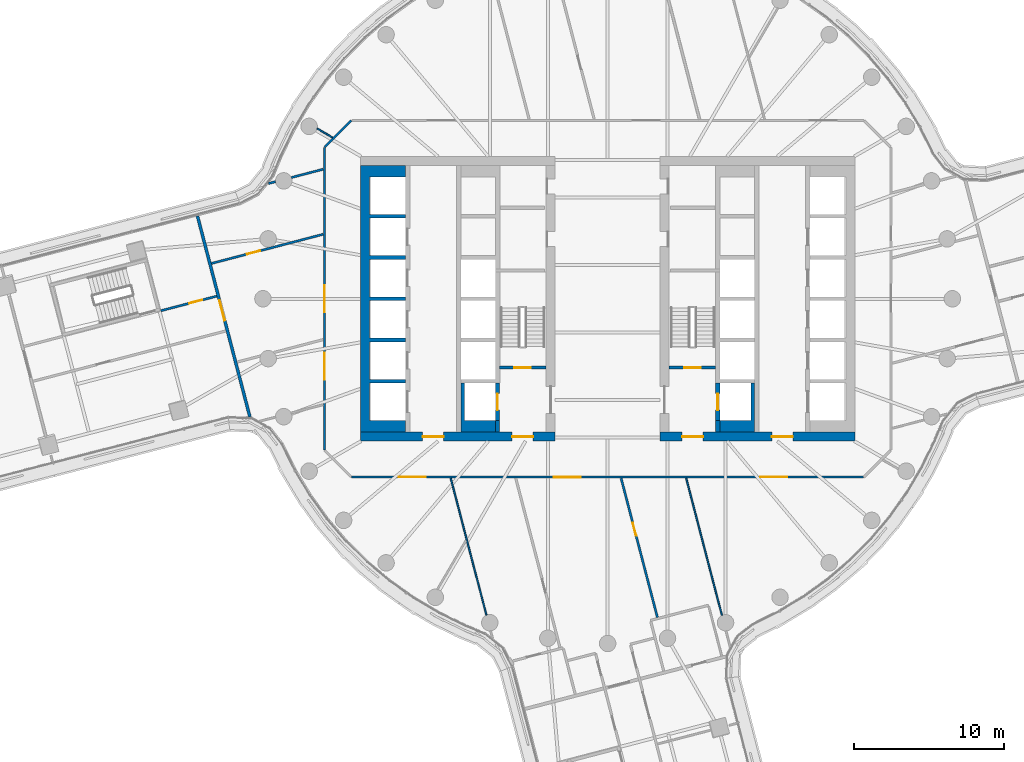
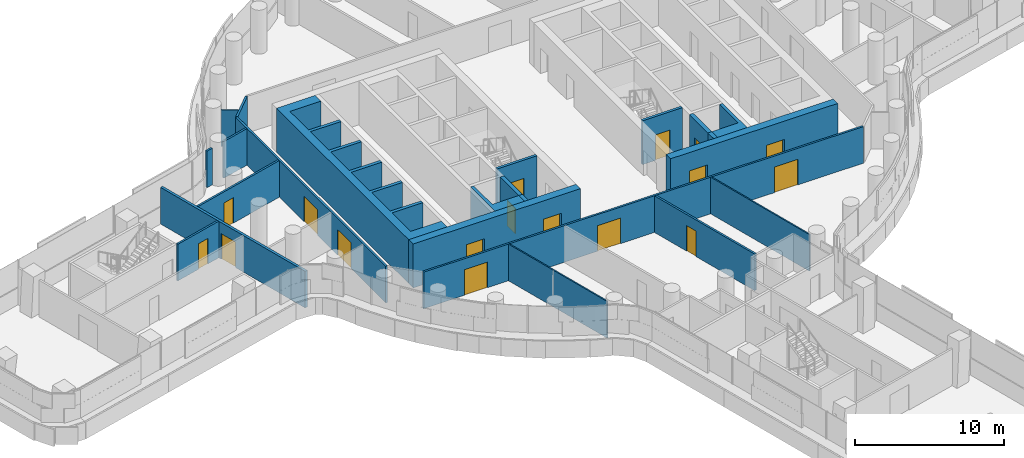
# One storey, part 19 of 30: 23 walls, 17 doors, 17 openings.
"""IFC4 building model written with IfcOpenShell, lengths in metres."""

from ifc_helpers import new_model, si_unit, direction, frame, frame_2d, origin, place, context, subcontext, project, spatial, polyline, rectangle, outline, extrude, material, layer, layer_set, type_object, element, fill, save


model = new_model("IFC4")

# Units and contexts
model_context = context("Model", 3, precision=1e-05, world=origin(), true_north=direction((0.0, 1.0)))
body_context = subcontext(model_context, "Body", "Model", "MODEL_VIEW")
ifc_project = project(units=[si_unit("LENGTHUNIT", "METRE"), si_unit("AREAUNIT", "SQUARE_METRE"), si_unit("VOLUMEUNIT", "CUBIC_METRE"), si_unit("PLANEANGLEUNIT", "RADIAN"), si_unit("MASSUNIT", "GRAM", prefix="KILO")], contexts=[model_context])

# Site, building, storey
site_placement = place(None, origin())
site = spatial("IfcSite", under=ifc_project, at=site_placement, CompositionType="ELEMENT")
building_placement = place(site_placement, origin())
building = spatial("IfcBuilding", under=site, at=building_placement, Name="Tamarind Cross Interchange Tower", CompositionType="ELEMENT")
storey_placement = place(building_placement, frame((0.0, 0.0, 87.25)))
storey = spatial("IfcBuildingStorey", under=building, at=storey_placement, Name="L20", CompositionType="ELEMENT", Elevation=87.25)

# Wall, openings, doors
ifc_material_1 = material(Name="Concrete C70", Category="concrete")
ifc_layer_1 = layer(ifc_material_1, 0.60009765625)
ifc_layer_set_1 = layer_set([ifc_layer_1], Name="Concrete C70")
wall_type_1 = type_object("IfcWallType", Name="Core wall 600 mm Concrete C70", PredefinedType="SHEAR", material=ifc_layer_set_1)
wall_1_placement = place(storey_placement, frame((-16.5, -9.199951171875, 0.0), z_axis=(0.0, 0.0, 1.0), x_axis=(1.0, 0.0, 0.0)))
wall_1 = element("IfcWall", 1, at=wall_1_placement, inside=storey, type_object=wall_type_1, Name="Core wall CWL-L20-W-S", PredefinedType="SHEAR", context=body_context, shape_type="SweptSolid", body=[
    extrude(rectangle(XDim=13.0, YDim=0.60009765625, at=frame_2d((6.5, 0.0))), origin(), (0.0, 0.0, 1.0), 3.610107421875),
])
opening_1_placement = place(wall_1_placement, frame((4.14990234375, 0.0, 0.0)))
opening_1 = element("IfcOpeningElement", 2, at=opening_1_placement, cuts=wall_1, Name="Opening DCW1", PredefinedType="OPENING", context=body_context, shape_type="SweptSolid", body=[
    extrude(rectangle(XDim=1.39990234375, YDim=2.10009765625, at=frame_2d((0.699951171875, 1.050048828125))), frame((0.0, 0.31005859375, 0.0), z_axis=(0.0, -1.0, 0.0), x_axis=(1.0, 0.0, 0.0)), (0.0, 0.0, 1.0), 0.6201171875),
])
opening_2_placement = place(wall_1_placement, frame((10.125, 0.0, 0.0)))
opening_2 = element("IfcOpeningElement", 3, at=opening_2_placement, cuts=wall_1, Name="Opening DCWF", PredefinedType="OPENING", context=body_context, shape_type="SweptSolid", body=[
    extrude(rectangle(XDim=1.39990234375, YDim=2.10009765625, at=frame_2d((0.699951171875, 1.050048828125))), frame((0.0, 0.31005859375, 0.0), z_axis=(0.0, -1.0, 0.0), x_axis=(1.0, 0.0, 0.0)), (0.0, 0.0, 1.0), 0.6201171875),
])
ifc_material_2 = material(Name="Steel, fire-resisting", Category="steel")
door_type_1 = type_object("IfcDoorType", Name="Core fire door 1400 x 2100 FD90", OperationType="SINGLE_SWING_LEFT", PredefinedType="DOOR", material=ifc_material_2)
door_1_placement = place(opening_1_placement, origin())
door_1 = element("IfcDoor", 4, at=door_1_placement, inside=storey, type_object=door_type_1, Name="L20 lift lobby door", OperationType="SINGLE_SWING_LEFT", OverallHeight=2.10009765625, OverallWidth=1.39990234375, PredefinedType="DOOR", context=body_context, shape_type="SweptSolid", body=[
    extrude(rectangle(XDim=1.39990234375, YDim=2.10009765625, at=frame_2d((0.699951171875, 1.050048828125))), frame((0.0, 0.02490234375, 0.0), z_axis=(0.0, -1.0, 0.0), x_axis=(1.0, 0.0, 0.0)), (0.0, 0.0, 1.0), 0.050048828125),
])
fill(opening_1, door_1)
door_2_placement = place(opening_2_placement, origin())
door_2 = element("IfcDoor", 5, at=door_2_placement, inside=storey, type_object=door_type_1, Name="L20 firefighting lobby end door", OperationType="SINGLE_SWING_LEFT", OverallHeight=2.10009765625, OverallWidth=1.39990234375, PredefinedType="DOOR", context=body_context, shape_type="SweptSolid", body=[
    extrude(rectangle(XDim=1.39990234375, YDim=2.10009765625, at=frame_2d((0.699951171875, 1.050048828125))), frame((0.0, 0.02490234375, 0.0), z_axis=(0.0, -1.0, 0.0), x_axis=(1.0, 0.0, 0.0)), (0.0, 0.0, 1.0), 0.050048828125),
])
fill(opening_2, door_2)

# Wall
wall_2_placement = place(storey_placement, origin())
element("IfcWall", 6, at=wall_2_placement, inside=storey, type_object=wall_type_1, Name="Core wall CWL-L20-W-A", PredefinedType="SHEAR", context=body_context, shape_type="SweptSolid", body=[
    extrude(outline(polyline([(-13.5, -8.89990234375), (-13.5, -8.125), (-15.89990234375, -8.125), (-15.89990234375, -5.625), (-13.5, -5.625), (-13.5, -5.375), (-15.89990234375, -5.375), (-15.89990234375, -2.875), (-13.5, -2.875), (-13.5, -2.625), (-15.89990234375, -2.625), (-15.89990234375, -0.125), (-13.5, -0.125), (-13.5, 0.125), (-15.89990234375, 0.125), (-15.89990234375, 2.625), (-13.5, 2.625), (-13.5, 2.875), (-15.89990234375, 2.875), (-15.89990234375, 5.375), (-13.5, 5.375), (-13.5, 5.625), (-15.89990234375, 5.625), (-15.89990234375, 8.125), (-13.5, 8.125), (-13.5, 8.89990234375), (-15.89990234375, 8.89990234375), (-16.5, 8.89990234375), (-16.5, -8.89990234375), (-15.89990234375, -8.89990234375), (-13.5, -8.89990234375)])), origin(), (0.0, 0.0, 1.0), 3.610107421875),
])

# Wall, openings, doors
wall_3_placement = place(storey_placement, frame((16.5, -9.199951171875, 0.0), z_axis=(0.0, 0.0, 1.0), x_axis=(-1.0, 0.0, 0.0)))
wall_3 = element("IfcWall", 7, at=wall_3_placement, inside=storey, type_object=wall_type_1, Name="Core wall CWL-L20-E-S", PredefinedType="SHEAR", context=body_context, shape_type="SweptSolid", body=[
    extrude(rectangle(XDim=13.0, YDim=0.60009765625, at=frame_2d((6.5, 0.0))), origin(), (0.0, 0.0, 1.0), 3.610107421875),
])
opening_3_placement = place(wall_3_placement, frame((4.14990234375, 0.0, 0.0)))
opening_3 = element("IfcOpeningElement", 8, at=opening_3_placement, cuts=wall_3, Name="Opening DCE1", PredefinedType="OPENING", context=body_context, shape_type="SweptSolid", body=[
    extrude(rectangle(XDim=1.39990234375, YDim=2.10009765625, at=frame_2d((0.699951171875, 1.050048828125))), frame((0.0, 0.31005859375, 0.0), z_axis=(0.0, -1.0, 0.0), x_axis=(1.0, 0.0, 0.0)), (0.0, 0.0, 1.0), 0.6201171875),
])
opening_4_placement = place(wall_3_placement, frame((10.125, 0.0, 0.0)))
opening_4 = element("IfcOpeningElement", 9, at=opening_4_placement, cuts=wall_3, Name="Opening DCEF", PredefinedType="OPENING", context=body_context, shape_type="SweptSolid", body=[
    extrude(rectangle(XDim=1.39990234375, YDim=2.10009765625, at=frame_2d((0.699951171875, 1.050048828125))), frame((0.0, 0.31005859375, 0.0), z_axis=(0.0, -1.0, 0.0), x_axis=(1.0, 0.0, 0.0)), (0.0, 0.0, 1.0), 0.6201171875),
])
door_3_placement = place(opening_3_placement, origin())
door_3 = element("IfcDoor", 10, at=door_3_placement, inside=storey, type_object=door_type_1, Name="L20 lift lobby door", OperationType="SINGLE_SWING_LEFT", OverallHeight=2.10009765625, OverallWidth=1.39990234375, PredefinedType="DOOR", context=body_context, shape_type="SweptSolid", body=[
    extrude(rectangle(XDim=1.39990234375, YDim=2.10009765625, at=frame_2d((0.699951171875, 1.050048828125))), frame((0.0, 0.02490234375, 0.0), z_axis=(0.0, -1.0, 0.0), x_axis=(1.0, 0.0, 0.0)), (0.0, 0.0, 1.0), 0.050048828125),
])
fill(opening_3, door_3)
door_4_placement = place(opening_4_placement, origin())
door_4 = element("IfcDoor", 11, at=door_4_placement, inside=storey, type_object=door_type_1, Name="L20 firefighting lobby end door", OperationType="SINGLE_SWING_LEFT", OverallHeight=2.10009765625, OverallWidth=1.39990234375, PredefinedType="DOOR", context=body_context, shape_type="SweptSolid", body=[
    extrude(rectangle(XDim=1.39990234375, YDim=2.10009765625, at=frame_2d((0.699951171875, 1.050048828125))), frame((0.0, 0.02490234375, 0.0), z_axis=(0.0, -1.0, 0.0), x_axis=(1.0, 0.0, 0.0)), (0.0, 0.0, 1.0), 0.050048828125),
])
fill(opening_4, door_4)

# Walls
ifc_layer_2 = layer(ifc_material_1, 0.300048828125)
ifc_layer_set_2 = layer_set([ifc_layer_2], Name="Concrete C70")
wall_type_2 = type_object("IfcWallType", Name="Core web wall 300 mm Concrete C70", PredefinedType="SHEAR", material=ifc_layer_set_2)
wall_4_placement = place(storey_placement, origin())
element("IfcWall", 12, at=wall_4_placement, inside=storey, type_object=wall_type_2, Name="Core wall CWL-L20-W-BS", PredefinedType="SHEAR", context=body_context, shape_type="SweptSolid", body=[
    extrude(outline(polyline([(-7.5, -8.125), (-9.550048828125, -8.125), (-9.550048828125, -5.625), (-9.800048828125, -5.625), (-9.800048828125, -8.125), (-9.800048828125, -8.89990234375), (-7.5, -8.89990234375), (-7.5, -8.125)])), origin(), (0.0, 0.0, 1.0), 3.610107421875),
])
wall_5_placement = place(storey_placement, frame((-7.35009765625, -8.89990234375, 0.0), z_axis=(0.0, 0.0, 1.0), x_axis=(0.0, 1.0, 0.0)))
element("IfcWall", 13, at=wall_5_placement, inside=storey, type_object=wall_type_2, Name="Core wall CWL-L20-W-BW", PredefinedType="SHEAR", context=body_context, shape_type="SweptSolid", body=[
    extrude(rectangle(XDim=0.77490234375, YDim=0.300048828125, at=frame_2d((0.387451171875, 0.0))), origin(), (0.0, 0.0, 1.0), 3.610107421875),
])

# Wall, opening, door
wall_6_placement = place(storey_placement, frame((-7.35009765625, -8.125, 0.0), z_axis=(0.0, 0.0, 1.0), x_axis=(0.0, 1.0, 0.0)))
wall_6 = element("IfcWall", 14, at=wall_6_placement, inside=storey, type_object=wall_type_2, Name="Core wall CWL-L20-W-FF", PredefinedType="SHEAR", context=body_context, shape_type="SweptSolid", body=[
    extrude(rectangle(XDim=2.5, YDim=0.300048828125, at=frame_2d((1.25, 0.0))), origin(), (0.0, 0.0, 1.0), 3.610107421875),
])
opening_5_placement = place(wall_6_placement, frame((0.699951171875, 0.0, 0.0)))
opening_5 = element("IfcOpeningElement", 15, at=opening_5_placement, cuts=wall_6, Name="Opening LD7L20", PredefinedType="OPENING", context=body_context, shape_type="SweptSolid", body=[
    extrude(rectangle(XDim=1.10009765625, YDim=2.10009765625, at=frame_2d((0.550048828125, 1.050048828125))), frame((0.0, 0.159912109375, 0.0), z_axis=(0.0, -1.0, 0.0), x_axis=(1.0, 0.0, 0.0)), (0.0, 0.0, 1.0), 0.320068359375),
])
ifc_material_3 = material(Name="Stainless steel panel", Category="steel")
door_type_2 = type_object("IfcDoorType", Name="Lift landing door 1100 x 2100 E 120", OperationType="SLIDING_TO_LEFT", PredefinedType="DOOR", material=ifc_material_3)
door_5_placement = place(opening_5_placement, origin())
door_5 = element("IfcDoor", 16, at=door_5_placement, inside=storey, type_object=door_type_2, Name="L20 landing door LF7", OperationType="SLIDING_TO_LEFT", OverallHeight=2.10009765625, OverallWidth=1.10009765625, PredefinedType="DOOR", context=body_context, shape_type="SweptSolid", body=[
    extrude(rectangle(XDim=1.10009765625, YDim=2.10009765625, at=frame_2d((0.550048828125, 1.050048828125))), frame((0.0, 0.02490234375, 0.0), z_axis=(0.0, -1.0, 0.0), x_axis=(1.0, 0.0, 0.0)), (0.0, 0.0, 1.0), 0.050048828125),
])
fill(opening_5, door_5)

# Walls
wall_7_placement = place(storey_placement, origin())
element("IfcWall", 17, at=wall_7_placement, inside=storey, type_object=wall_type_2, Name="Core wall CWL-L20-E-BS", PredefinedType="SHEAR", context=body_context, shape_type="SweptSolid", body=[
    extrude(outline(polyline([(7.5, -8.125), (7.5, -8.89990234375), (9.800048828125, -8.89990234375), (9.800048828125, -8.125), (9.800048828125, -5.625), (9.550048828125, -5.625), (9.550048828125, -8.125), (7.5, -8.125)])), origin(), (0.0, 0.0, 1.0), 3.610107421875),
])
wall_8_placement = place(storey_placement, frame((7.35009765625, -8.89990234375, 0.0), z_axis=(0.0, 0.0, 1.0), x_axis=(0.0, 1.0, 0.0)))
element("IfcWall", 18, at=wall_8_placement, inside=storey, type_object=wall_type_2, Name="Core wall CWL-L20-E-BW", PredefinedType="SHEAR", context=body_context, shape_type="SweptSolid", body=[
    extrude(rectangle(XDim=0.77490234375, YDim=0.300048828125, at=frame_2d((0.387451171875, 0.0))), origin(), (0.0, 0.0, 1.0), 3.610107421875),
])

# Wall, opening, door
wall_9_placement = place(storey_placement, frame((7.35009765625, -8.125, 0.0), z_axis=(0.0, 0.0, 1.0), x_axis=(0.0, 1.0, 0.0)))
wall_9 = element("IfcWall", 19, at=wall_9_placement, inside=storey, type_object=wall_type_2, Name="Core wall CWL-L20-E-FF", PredefinedType="SHEAR", context=body_context, shape_type="SweptSolid", body=[
    extrude(rectangle(XDim=2.5, YDim=0.300048828125, at=frame_2d((1.25, 0.0))), origin(), (0.0, 0.0, 1.0), 3.610107421875),
])
opening_6_placement = place(wall_9_placement, frame((0.699951171875, 0.0, 0.0)))
opening_6 = element("IfcOpeningElement", 20, at=opening_6_placement, cuts=wall_9, Name="Opening LD19L20", PredefinedType="OPENING", context=body_context, shape_type="SweptSolid", body=[
    extrude(rectangle(XDim=1.10009765625, YDim=2.10009765625, at=frame_2d((0.550048828125, 1.050048828125))), frame((0.0, 0.159912109375, 0.0), z_axis=(0.0, -1.0, 0.0), x_axis=(1.0, 0.0, 0.0)), (0.0, 0.0, 1.0), 0.320068359375),
])
door_6_placement = place(opening_6_placement, origin())
door_6 = element("IfcDoor", 21, at=door_6_placement, inside=storey, type_object=door_type_2, Name="L20 landing door LF19", OperationType="SLIDING_TO_LEFT", OverallHeight=2.10009765625, OverallWidth=1.10009765625, PredefinedType="DOOR", context=body_context, shape_type="SweptSolid", body=[
    extrude(rectangle(XDim=1.10009765625, YDim=2.10009765625, at=frame_2d((0.550048828125, 1.050048828125))), frame((0.0, 0.02490234375, 0.0), z_axis=(0.0, -1.0, 0.0), x_axis=(1.0, 0.0, 0.0)), (0.0, 0.0, 1.0), 0.050048828125),
])
fill(opening_6, door_6)

# Walls
ifc_material_4 = material(Name="Gypsum board partition on steel studs", Category="steel")
ifc_layer_3 = layer(ifc_material_4, 0.10009765625)
ifc_layer_set_3 = layer_set([ifc_layer_3], Name="Gypsum board partition on steel studs")
wall_type_3 = type_object("IfcWallType", Name="Partition 100 mm EI 90", PredefinedType="PARTITIONING", material=ifc_layer_set_3)
wall_10_placement = place(storey_placement, frame((-10.473388671875, -11.9677734375, 0.0), z_axis=(0.0, 0.0, 1.0), x_axis=(0.25267953947, -0.967550024719, 0.0)))
element("IfcWall", 22, at=wall_10_placement, inside=storey, type_object=wall_type_3, Name="Partition L20-005", PredefinedType="PARTITIONING", context=body_context, shape_type="SweptSolid", body=[
    extrude(rectangle(XDim=9.450439453125, YDim=0.10009765625, at=frame_2d((4.72509765625, 0.0))), origin(), (0.0, 0.0, 1.0), 3.010009765625),
])
wall_11_placement = place(storey_placement, frame((5.23681640625, -11.9677734375, 0.0), z_axis=(0.0, 0.0, 1.0), x_axis=(0.252467088519, -0.967605482216, 0.0)))
element("IfcWall", 23, at=wall_11_placement, inside=storey, type_object=wall_type_3, Name="Partition L20-022", PredefinedType="PARTITIONING", context=body_context, shape_type="SweptSolid", body=[
    extrude(rectangle(XDim=9.45654296875, YDim=0.10009765625, at=frame_2d((4.728271484375, 0.0))), origin(), (0.0, 0.0, 1.0), 3.010009765625),
])
wall_12_placement = place(storey_placement, frame((-19.394287109375, 11.36669921875, 0.0), z_axis=(0.0, 0.0, 1.0), x_axis=(0.862752975696, -0.505625654935, 0.0)))
element("IfcWall", 24, at=wall_12_placement, inside=storey, type_object=wall_type_3, Name="Partition L20-033", PredefinedType="PARTITIONING", context=body_context, shape_type="SweptSolid", body=[
    extrude(rectangle(XDim=1.201904296875, YDim=0.10009765625, at=frame_2d((0.60107421875, 0.0))), origin(), (0.0, 0.0, 1.0), 3.010009765625),
])

# Wall, opening, door
ifc_layer_4 = layer(ifc_material_4, 0.14990234375)
ifc_layer_set_4 = layer_set([ifc_layer_4], Name="Gypsum board partition on steel studs")
wall_type_4 = type_object("IfcWallType", Name="Partition 150 mm EI 120", PredefinedType="PARTITIONING", material=ifc_layer_set_4)
wall_13_placement = place(storey_placement, frame((0.898193359375, -11.977294921875, 0.0), z_axis=(0.0, 0.0, 1.0), x_axis=(0.252484037565, -0.967601059722, 0.0)))
wall_13 = element("IfcWall", 25, at=wall_13_placement, inside=storey, type_object=wall_type_4, Name="Partition L20-018", PredefinedType="PARTITIONING", context=body_context, shape_type="SweptSolid", body=[
    extrude(rectangle(XDim=9.595947265625, YDim=0.14990234375, at=frame_2d((4.7978515625, 0.0))), origin(), (0.0, 0.0, 1.0), 3.010009765625),
])
opening_7_placement = place(wall_13_placement, frame((3.070068359375, 0.0, 0.0)))
opening_7 = element("IfcOpeningElement", 26, at=opening_7_placement, cuts=wall_13, Name="Opening D13", PredefinedType="OPENING", context=body_context, shape_type="SweptSolid", body=[
    extrude(rectangle(XDim=0.89990234375, YDim=2.10009765625, at=frame_2d((0.449951171875, 1.050048828125))), frame((0.0, 0.0849609375, 0.0), z_axis=(0.0, -1.0, 0.0), x_axis=(1.0, 0.0, 0.0)), (0.0, 0.0, 1.0), 0.169921875),
])
ifc_material_5 = material(Name="Fire-resisting door set")
door_type_3 = type_object("IfcDoorType", Name="Interior door 900 x 2100 FD60S", OperationType="SINGLE_SWING_LEFT", PredefinedType="DOOR", material=ifc_material_5)
door_7_placement = place(opening_7_placement, origin())
door_7 = element("IfcDoor", 27, at=door_7_placement, inside=storey, type_object=door_type_3, Name="Door D13", OperationType="SINGLE_SWING_RIGHT", OverallHeight=2.10009765625, OverallWidth=0.89990234375, PredefinedType="DOOR", context=body_context, shape_type="SweptSolid", body=[
    extrude(rectangle(XDim=0.89990234375, YDim=2.10009765625, at=frame_2d((0.449951171875, 1.050048828125))), frame((0.0, 0.02490234375, 0.0), z_axis=(0.0, -1.0, 0.0), x_axis=(1.0, 0.0, 0.0)), (0.0, 0.0, 1.0), 0.050048828125),
])
fill(opening_7, door_7)

# Wall, openings, doors
wall_14_placement = place(storey_placement, frame((-17.10009765625, -11.89990234375, 0.0), z_axis=(0.0, 0.0, 1.0), x_axis=(1.0, 0.0, 0.0)))
wall_14 = element("IfcWall", 28, at=wall_14_placement, inside=storey, type_object=wall_type_4, Name="Partition L20-035", PredefinedType="PARTITIONING", context=body_context, shape_type="SweptSolid", body=[
    extrude(rectangle(XDim=34.1650390625, YDim=0.14990234375, at=frame_2d((17.08251953125, 0.0))), origin(), (0.0, 0.0, 1.0), 3.010009765625),
])
opening_8_placement = place(wall_14_placement, frame((13.5, 0.0, 0.0)))
opening_8 = element("IfcOpeningElement", 29, at=opening_8_placement, cuts=wall_14, Name="Opening D20", PredefinedType="OPENING", context=body_context, shape_type="SweptSolid", body=[
    extrude(rectangle(XDim=1.800048828125, YDim=2.10009765625, at=frame_2d((0.89990234375, 1.050048828125))), frame((0.0, 0.0849609375, 0.0), z_axis=(0.0, -1.0, 0.0), x_axis=(1.0, 0.0, 0.0)), (0.0, 0.0, 1.0), 0.169921875),
])
opening_9_placement = place(wall_14_placement, frame((3.14990234375, 0.0, 0.0)))
opening_9 = element("IfcOpeningElement", 30, at=opening_9_placement, cuts=wall_14, Name="Opening D21", PredefinedType="OPENING", context=body_context, shape_type="SweptSolid", body=[
    extrude(rectangle(XDim=1.800048828125, YDim=2.10009765625, at=frame_2d((0.89990234375, 1.050048828125))), frame((0.0, 0.0849609375, 0.0), z_axis=(0.0, -1.0, 0.0), x_axis=(1.0, 0.0, 0.0)), (0.0, 0.0, 1.0), 0.169921875),
])
opening_10_placement = place(wall_14_placement, frame((27.26904296875, 0.0, 0.0)))
opening_10 = element("IfcOpeningElement", 31, at=opening_10_placement, cuts=wall_14, Name="Opening D22", PredefinedType="OPENING", context=body_context, shape_type="SweptSolid", body=[
    extrude(rectangle(XDim=1.800048828125, YDim=2.10009765625, at=frame_2d((0.89990234375, 1.050048828125))), frame((0.0, 0.0849609375, 0.0), z_axis=(0.0, -1.0, 0.0), x_axis=(1.0, 0.0, 0.0)), (0.0, 0.0, 1.0), 0.169921875),
])
door_type_4 = type_object("IfcDoorType", Name="Interior door 1800 x 2100 FD60S", OperationType="DOUBLE_DOOR_SINGLE_SWING", PredefinedType="DOOR", material=ifc_material_5)
door_8_placement = place(opening_8_placement, origin())
door_8 = element("IfcDoor", 32, at=door_8_placement, inside=storey, type_object=door_type_4, Name="Door D20", OperationType="DOUBLE_DOOR_SINGLE_SWING", OverallHeight=2.10009765625, OverallWidth=1.800048828125, PredefinedType="DOOR", context=body_context, shape_type="SweptSolid", body=[
    extrude(rectangle(XDim=1.800048828125, YDim=2.10009765625, at=frame_2d((0.89990234375, 1.050048828125))), frame((0.0, 0.02490234375, 0.0), z_axis=(0.0, -1.0, 0.0), x_axis=(1.0, 0.0, 0.0)), (0.0, 0.0, 1.0), 0.050048828125),
])
fill(opening_8, door_8)
door_9_placement = place(opening_9_placement, frame((1.800048828125, 0.0, 0.0), z_axis=(0.0, 0.0, 1.0), x_axis=(-1.0, 0.0, 0.0)))
door_9 = element("IfcDoor", 33, at=door_9_placement, inside=storey, type_object=door_type_4, Name="Door D21", OperationType="DOUBLE_DOOR_SINGLE_SWING", OverallHeight=2.10009765625, OverallWidth=1.800048828125, PredefinedType="DOOR", context=body_context, shape_type="SweptSolid", body=[
    extrude(rectangle(XDim=1.800048828125, YDim=2.10009765625, at=frame_2d((0.89990234375, 1.050048828125))), frame((0.0, 0.02490234375, 0.0), z_axis=(0.0, -1.0, 0.0), x_axis=(1.0, 0.0, 0.0)), (0.0, 0.0, 1.0), 0.050048828125),
])
fill(opening_9, door_9)
door_10_placement = place(opening_10_placement, frame((1.800048828125, 0.0, 0.0), z_axis=(0.0, 0.0, 1.0), x_axis=(-1.0, 0.0, 0.0)))
door_10 = element("IfcDoor", 34, at=door_10_placement, inside=storey, type_object=door_type_4, Name="Door D22", OperationType="DOUBLE_DOOR_SINGLE_SWING", OverallHeight=2.10009765625, OverallWidth=1.800048828125, PredefinedType="DOOR", context=body_context, shape_type="SweptSolid", body=[
    extrude(rectangle(XDim=1.800048828125, YDim=2.10009765625, at=frame_2d((0.89990234375, 1.050048828125))), frame((0.0, 0.02490234375, 0.0), z_axis=(0.0, -1.0, 0.0), x_axis=(1.0, 0.0, 0.0)), (0.0, 0.0, 1.0), 0.050048828125),
])
fill(opening_10, door_10)

# Wall, opening, door
wall_15_placement = place(storey_placement, frame((-29.811279296875, -0.799072265625, 0.0), z_axis=(0.0, 0.0, 1.0), x_axis=(0.967574938366, 0.25258412192, 0.0)))
wall_15 = element("IfcWall", 35, at=wall_15_placement, inside=storey, type_object=wall_type_4, Name="Partition L20-038", PredefinedType="PARTITIONING", context=body_context, shape_type="SweptSolid", body=[
    extrude(rectangle(XDim=3.859619140625, YDim=0.14990234375, at=frame_2d((1.9296875, 0.0))), origin(), (0.0, 0.0, 1.0), 3.010009765625),
])
opening_11_placement = place(wall_15_placement, frame((1.949951171875, 0.0, 0.0)))
opening_11 = element("IfcOpeningElement", 36, at=opening_11_placement, cuts=wall_15, Name="Opening D26", PredefinedType="OPENING", context=body_context, shape_type="SweptSolid", body=[
    extrude(rectangle(XDim=0.89990234375, YDim=2.10009765625, at=frame_2d((0.449951171875, 1.050048828125))), frame((0.0, 0.0849609375, 0.0), z_axis=(0.0, -1.0, 0.0), x_axis=(1.0, 0.0, 0.0)), (0.0, 0.0, 1.0), 0.169921875),
])
door_11_placement = place(opening_11_placement, origin())
door_11 = element("IfcDoor", 37, at=door_11_placement, inside=storey, type_object=door_type_3, Name="Door D26", OperationType="SINGLE_SWING_LEFT", OverallHeight=2.10009765625, OverallWidth=0.89990234375, PredefinedType="DOOR", context=body_context, shape_type="SweptSolid", body=[
    extrude(rectangle(XDim=0.89990234375, YDim=2.10009765625, at=frame_2d((0.449951171875, 1.050048828125))), frame((0.0, 0.02490234375, 0.0), z_axis=(0.0, -1.0, 0.0), x_axis=(1.0, 0.0, 0.0)), (0.0, 0.0, 1.0), 0.050048828125),
])
fill(opening_11, door_11)

wall_16_placement = place(storey_placement, frame((-26.438232421875, 2.355224609375, 0.0), z_axis=(0.0, 0.0, 1.0), x_axis=(0.967579940303, 0.252564960203, 0.0)))
wall_16 = element("IfcWall", 38, at=wall_16_placement, inside=storey, type_object=wall_type_4, Name="Partition L20-040", PredefinedType="PARTITIONING", context=body_context, shape_type="SweptSolid", body=[
    extrude(rectangle(XDim=7.7109375, YDim=0.14990234375, at=frame_2d((3.85546875, 0.0))), origin(), (0.0, 0.0, 1.0), 3.010009765625),
])
opening_12_placement = place(wall_16_placement, frame((2.449951171875, 0.0, 0.0)))
opening_12 = element("IfcOpeningElement", 39, at=opening_12_placement, cuts=wall_16, Name="Opening D28", PredefinedType="OPENING", context=body_context, shape_type="SweptSolid", body=[
    extrude(rectangle(XDim=0.89990234375, YDim=2.10009765625, at=frame_2d((0.449951171875, 1.050048828125))), frame((0.0, 0.0849609375, 0.0), z_axis=(0.0, -1.0, 0.0), x_axis=(1.0, 0.0, 0.0)), (0.0, 0.0, 1.0), 0.169921875),
])
door_12_placement = place(opening_12_placement, origin())
door_12 = element("IfcDoor", 40, at=door_12_placement, inside=storey, type_object=door_type_3, Name="Door D28", OperationType="SINGLE_SWING_RIGHT", OverallHeight=2.10009765625, OverallWidth=0.89990234375, PredefinedType="DOOR", context=body_context, shape_type="SweptSolid", body=[
    extrude(rectangle(XDim=0.89990234375, YDim=2.10009765625, at=frame_2d((0.449951171875, 1.050048828125))), frame((0.0, 0.02490234375, 0.0), z_axis=(0.0, -1.0, 0.0), x_axis=(1.0, 0.0, 0.0)), (0.0, 0.0, 1.0), 0.050048828125),
])
fill(opening_12, door_12)

# Walls
wall_17_placement = place(storey_placement, frame((-22.637939453125, 7.688232421875, 0.0), z_axis=(0.0, 0.0, 1.0), x_axis=(0.967507265898, 0.252843213146, 0.0)))
element("IfcWall", 41, at=wall_17_placement, inside=storey, type_object=wall_type_4, Name="Partition L20-045", PredefinedType="PARTITIONING", context=body_context, shape_type="SweptSolid", body=[
    extrude(rectangle(XDim=0.495361328125, YDim=0.14990234375, at=frame_2d((0.24755859375, 0.0))), origin(), (0.0, 0.0, 1.0), 3.010009765625),
])
wall_18_placement = place(storey_placement, frame((-21.11181640625, 8.086669921875, 0.0), z_axis=(0.0, 0.0, 1.0), x_axis=(0.967584357106, 0.252548038764, 0.0)))
element("IfcWall", 42, at=wall_18_placement, inside=storey, type_object=wall_type_4, Name="Partition L20-046", PredefinedType="PARTITIONING", context=body_context, shape_type="SweptSolid", body=[
    extrude(rectangle(XDim=2.2060546875, YDim=0.14990234375, at=frame_2d((1.10302734375, 0.0))), origin(), (0.0, 0.0, 1.0), 3.010009765625),
])
wall_19_placement = place(storey_placement, frame((-18.87158203125, 10.12841796875, 0.0), z_axis=(0.0, 0.0, 1.0), x_axis=(0.707106781187, 0.707106781187, 0.0)))
element("IfcWall", 43, at=wall_19_placement, inside=storey, type_object=wall_type_4, Name="Partition L20-077", PredefinedType="PARTITIONING", context=body_context, shape_type="SweptSolid", body=[
    extrude(rectangle(XDim=2.50537109375, YDim=0.14990234375, at=frame_2d((1.252685546875, 0.0))), origin(), (0.0, 0.0, 1.0), 3.010009765625),
])

# Wall, openings, doors
wall_20_placement = place(storey_placement, frame((-18.89990234375, -10.10009765625, 0.0), z_axis=(0.0, 0.0, 1.0), x_axis=(0.0, 1.0, 0.0)))
wall_20 = element("IfcWall", 44, at=wall_20_placement, inside=storey, type_object=wall_type_4, Name="Partition L20-081", PredefinedType="PARTITIONING", context=body_context, shape_type="SweptSolid", body=[
    extrude(rectangle(XDim=20.2001953125, YDim=0.14990234375, at=frame_2d((10.10009765625, 0.0))), origin(), (0.0, 0.0, 1.0), 3.010009765625),
])
opening_13_placement = place(wall_20_placement, frame((9.195068359375, 0.0, 0.0)))
opening_13 = element("IfcOpeningElement", 45, at=opening_13_placement, cuts=wall_20, Name="Opening D39", PredefinedType="OPENING", context=body_context, shape_type="SweptSolid", body=[
    extrude(rectangle(XDim=1.800048828125, YDim=2.10009765625, at=frame_2d((0.89990234375, 1.050048828125))), frame((0.0, 0.0849609375, 0.0), z_axis=(0.0, -1.0, 0.0), x_axis=(1.0, 0.0, 0.0)), (0.0, 0.0, 1.0), 0.169921875),
])
opening_14_placement = place(wall_20_placement, frame((4.7041015625, 0.0, 0.0)))
opening_14 = element("IfcOpeningElement", 46, at=opening_14_placement, cuts=wall_20, Name="Opening D40", PredefinedType="OPENING", context=body_context, shape_type="SweptSolid", body=[
    extrude(rectangle(XDim=1.800048828125, YDim=2.10009765625, at=frame_2d((0.89990234375, 1.050048828125))), frame((0.0, 0.0849609375, 0.0), z_axis=(0.0, -1.0, 0.0), x_axis=(1.0, 0.0, 0.0)), (0.0, 0.0, 1.0), 0.169921875),
])
door_13_placement = place(opening_13_placement, frame((1.800048828125, 0.0, 0.0), z_axis=(0.0, 0.0, 1.0), x_axis=(-1.0, 0.0, 0.0)))
door_13 = element("IfcDoor", 47, at=door_13_placement, inside=storey, type_object=door_type_4, Name="Door D39", OperationType="DOUBLE_DOOR_SINGLE_SWING", OverallHeight=2.10009765625, OverallWidth=1.800048828125, PredefinedType="DOOR", context=body_context, shape_type="SweptSolid", body=[
    extrude(rectangle(XDim=1.800048828125, YDim=2.10009765625, at=frame_2d((0.89990234375, 1.050048828125))), frame((0.0, 0.02490234375, 0.0), z_axis=(0.0, -1.0, 0.0), x_axis=(1.0, 0.0, 0.0)), (0.0, 0.0, 1.0), 0.050048828125),
])
fill(opening_13, door_13)
door_14_placement = place(opening_14_placement, origin())
door_14 = element("IfcDoor", 48, at=door_14_placement, inside=storey, type_object=door_type_4, Name="Door D40", OperationType="DOUBLE_DOOR_SINGLE_SWING", OverallHeight=2.10009765625, OverallWidth=1.800048828125, PredefinedType="DOOR", context=body_context, shape_type="SweptSolid", body=[
    extrude(rectangle(XDim=1.800048828125, YDim=2.10009765625, at=frame_2d((0.89990234375, 1.050048828125))), frame((0.0, 0.02490234375, 0.0), z_axis=(0.0, -1.0, 0.0), x_axis=(1.0, 0.0, 0.0)), (0.0, 0.0, 1.0), 0.050048828125),
])
fill(opening_14, door_14)

# Wall, opening, door
ifc_layer_5 = layer(ifc_material_4, 0.199951171875)
ifc_layer_set_5 = layer_set([ifc_layer_5], Name="Gypsum board partition on steel studs")
wall_type_5 = type_object("IfcWallType", Name="Partition 200 mm EI 180", PredefinedType="PARTITIONING", material=ifc_layer_set_5)
wall_21_placement = place(storey_placement, frame((-27.368896484375, 5.522216796875, 0.0), z_axis=(0.0, 0.0, 1.0), x_axis=(0.252543889634, -0.967585440056, 0.0)))
wall_21 = element("IfcWall", 49, at=wall_21_placement, inside=storey, type_object=wall_type_5, Name="Partition L20-004", PredefinedType="PARTITIONING", context=body_context, shape_type="SweptSolid", body=[
    extrude(rectangle(XDim=13.849365234375, YDim=0.199951171875, at=frame_2d((6.9248046875, 0.0))), origin(), (0.0, 0.0, 1.0), 3.010009765625),
])
opening_15_placement = place(wall_21_placement, frame((5.799560546875, 0.0, 0.0)))
opening_15 = element("IfcOpeningElement", 50, at=opening_15_placement, cuts=wall_21, Name="Opening D02", PredefinedType="OPENING", context=body_context, shape_type="SweptSolid", body=[
    extrude(rectangle(XDim=1.39990234375, YDim=2.10009765625, at=frame_2d((0.699951171875, 1.050048828125))), frame((0.0, 0.10986328125, 0.0), z_axis=(0.0, -1.0, 0.0), x_axis=(1.0, 0.0, 0.0)), (0.0, 0.0, 1.0), 0.219970703125),
])
door_type_5 = type_object("IfcDoorType", Name="Interior door 1400 x 2100 FD120S", OperationType="DOUBLE_DOOR_SINGLE_SWING", PredefinedType="DOOR", material=ifc_material_5)
door_15_placement = place(opening_15_placement, origin())
door_15 = element("IfcDoor", 51, at=door_15_placement, inside=storey, type_object=door_type_5, Name="Door D02", OperationType="DOUBLE_DOOR_SINGLE_SWING", OverallHeight=2.10009765625, OverallWidth=1.39990234375, PredefinedType="DOOR", context=body_context, shape_type="SweptSolid", body=[
    extrude(rectangle(XDim=1.39990234375, YDim=2.10009765625, at=frame_2d((0.699951171875, 1.050048828125))), frame((0.0, 0.02490234375, 0.0), z_axis=(0.0, -1.0, 0.0), x_axis=(1.0, 0.0, 0.0)), (0.0, 0.0, 1.0), 0.050048828125),
])
fill(opening_15, door_15)

ifc_material_6 = material(Name="Concrete C40", Category="concrete")
ifc_layer_6 = layer(ifc_material_6, 0.199951171875)
ifc_layer_set_6 = layer_set([ifc_layer_6], Name="Concrete C40")
wall_type_6 = type_object("IfcWallType", Name="Stair shaft wall 200 mm Concrete C40", PredefinedType="SHEAR", material=ifc_layer_set_6)
wall_22_placement = place(storey_placement, frame((-7.199951171875, -4.60009765625, 0.0), z_axis=(0.0, 0.0, 1.0), x_axis=(1.0, 0.0, 0.0)))
wall_22 = element("IfcWall", 52, at=wall_22_placement, inside=storey, type_object=wall_type_6, Name="Core wall CWL-L20-W-SD", PredefinedType="SHEAR", context=body_context, shape_type="SweptSolid", body=[
    extrude(rectangle(XDim=3.099853515625, YDim=0.199951171875, at=frame_2d((1.5498046875, 0.0))), origin(), (0.0, 0.0, 1.0), 3.610107421875),
])
opening_16_placement = place(wall_22_placement, frame((0.97509765625, 0.0, 0.0)))
opening_16 = element("IfcOpeningElement", 53, at=opening_16_placement, cuts=wall_22, Name="Opening DCW6", PredefinedType="OPENING", context=body_context, shape_type="SweptSolid", body=[
    extrude(rectangle(XDim=1.10009765625, YDim=2.10009765625, at=frame_2d((0.550048828125, 1.050048828125))), frame((0.0, 0.10986328125, 0.0), z_axis=(0.0, -1.0, 0.0), x_axis=(1.0, 0.0, 0.0)), (0.0, 0.0, 1.0), 0.219970703125),
])
door_type_6 = type_object("IfcDoorType", Name="Core fire door 1100 x 2100 FD90", OperationType="SINGLE_SWING_LEFT", PredefinedType="DOOR", material=ifc_material_2)
door_16_placement = place(opening_16_placement, origin())
door_16 = element("IfcDoor", 54, at=door_16_placement, inside=storey, type_object=door_type_6, Name="L20 stair door", OperationType="SINGLE_SWING_LEFT", OverallHeight=2.10009765625, OverallWidth=1.10009765625, PredefinedType="DOOR", context=body_context, shape_type="SweptSolid", body=[
    extrude(rectangle(XDim=1.10009765625, YDim=2.10009765625, at=frame_2d((0.550048828125, 1.050048828125))), frame((0.0, 0.02490234375, 0.0), z_axis=(0.0, -1.0, 0.0), x_axis=(1.0, 0.0, 0.0)), (0.0, 0.0, 1.0), 0.050048828125),
])
fill(opening_16, door_16)

wall_23_placement = place(storey_placement, frame((7.199951171875, -4.60009765625, 0.0), z_axis=(0.0, 0.0, 1.0), x_axis=(-1.0, 0.0, 0.0)))
wall_23 = element("IfcWall", 55, at=wall_23_placement, inside=storey, type_object=wall_type_6, Name="Core wall CWL-L20-E-SD", PredefinedType="SHEAR", context=body_context, shape_type="SweptSolid", body=[
    extrude(rectangle(XDim=3.099853515625, YDim=0.199951171875, at=frame_2d((1.5498046875, 0.0))), origin(), (0.0, 0.0, 1.0), 3.610107421875),
])
opening_17_placement = place(wall_23_placement, frame((0.97509765625, 0.0, 0.0)))
opening_17 = element("IfcOpeningElement", 56, at=opening_17_placement, cuts=wall_23, Name="Opening DCE6", PredefinedType="OPENING", context=body_context, shape_type="SweptSolid", body=[
    extrude(rectangle(XDim=1.10009765625, YDim=2.10009765625, at=frame_2d((0.550048828125, 1.050048828125))), frame((0.0, 0.10986328125, 0.0), z_axis=(0.0, -1.0, 0.0), x_axis=(1.0, 0.0, 0.0)), (0.0, 0.0, 1.0), 0.219970703125),
])
door_17_placement = place(opening_17_placement, origin())
door_17 = element("IfcDoor", 57, at=door_17_placement, inside=storey, type_object=door_type_6, Name="L20 stair door", OperationType="SINGLE_SWING_LEFT", OverallHeight=2.10009765625, OverallWidth=1.10009765625, PredefinedType="DOOR", context=body_context, shape_type="SweptSolid", body=[
    extrude(rectangle(XDim=1.10009765625, YDim=2.10009765625, at=frame_2d((0.550048828125, 1.050048828125))), frame((0.0, 0.02490234375, 0.0), z_axis=(0.0, -1.0, 0.0), x_axis=(1.0, 0.0, 0.0)), (0.0, 0.0, 1.0), 0.050048828125),
])
fill(opening_17, door_17)

save(model, "model.ifc")
